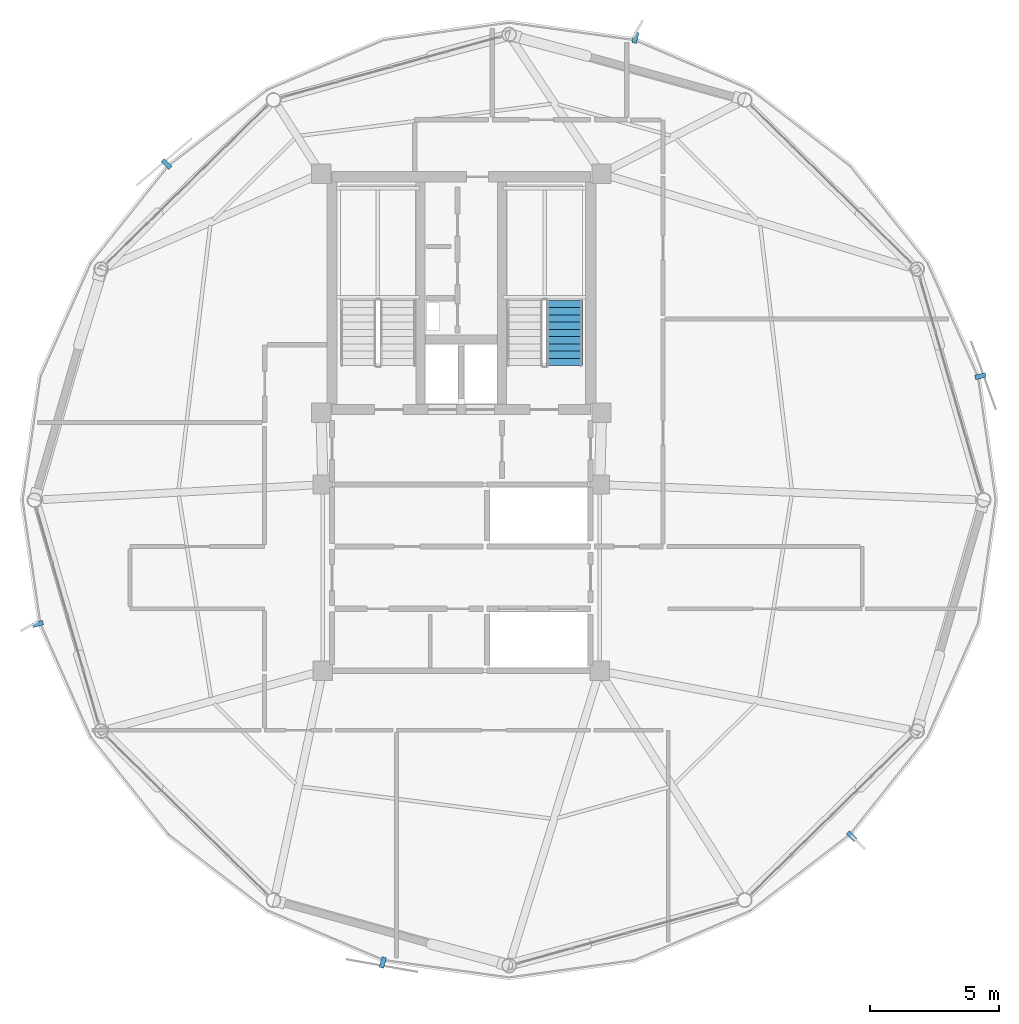
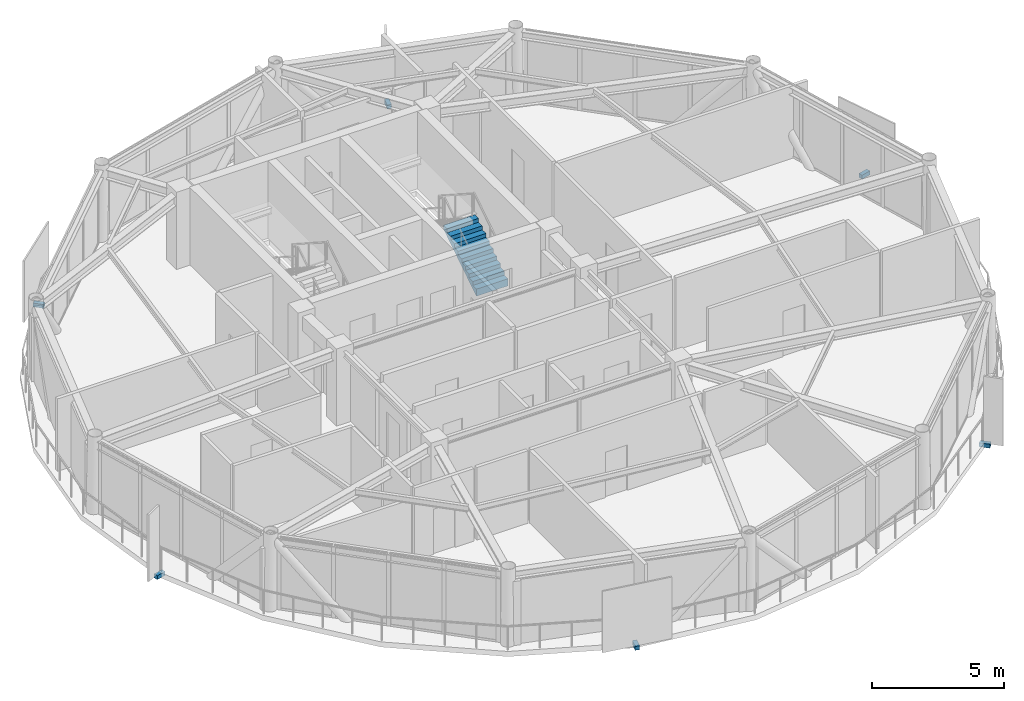
# One storey, part 23 of 26: 6 discrete accessories, 1 stair flight, 1 element without a shape of its own.
"""IFC4 building model written with IfcOpenShell, lengths in metres."""

from ifc_helpers import new_model, si_unit, direction, frame, origin, origin_2d, place, context, subcontext, project, spatial, polyline, rectangle, outline, extrude, source, transform, mapped, material, type_object, type_shapes, element, aggregate, save


model = new_model("IFC4")

# Units and contexts
model_context = context("Model", 3, precision=1e-05, world=origin(), true_north=direction((0.0, 1.0)))
body_context = subcontext(model_context, "Body", "Model", "MODEL_VIEW")
ifc_project = project(units=[si_unit("LENGTHUNIT", "METRE"), si_unit("AREAUNIT", "SQUARE_METRE"), si_unit("VOLUMEUNIT", "CUBIC_METRE"), si_unit("PLANEANGLEUNIT", "RADIAN"), si_unit("MASSUNIT", "GRAM", prefix="KILO")], contexts=[model_context])

# Site, building, storey
site_placement = place(None, origin())
site = spatial("IfcSite", under=ifc_project, at=site_placement, CompositionType="ELEMENT")
building_placement = place(site_placement, origin())
building = spatial("IfcBuilding", under=site, at=building_placement, Name="Varnakorn Sky Granary", CompositionType="ELEMENT")
storey_placement = place(building_placement, frame((0.0, 0.0, 256.199951171875)))
storey = spatial("IfcBuildingStorey", under=building, at=storey_placement, Name="L65", CompositionType="ELEMENT", Elevation=256.199951171875)

# Stair, stair flight
ifc_material_1 = material(Name="Concrete C40/50", Category="concrete")
stair_type = type_object("IfcStairType", Name="ST-MAIN-ASSEMBLY", PredefinedType="HALF_TURN_STAIR", material=ifc_material_1)
stair_placement = place(storey_placement, origin())
stair = element("IfcStair", 1, at=stair_placement, inside=storey, type_object=stair_type, Name="L65 Protected Exit Stair ST-2", PredefinedType="HALF_TURN_STAIR")
stair_flight_type = type_object("IfcStairFlightType", Name="ST-MAIN-FLIGHT", PredefinedType="STRAIGHT", material=ifc_material_1)
stair_flight_placement = place(storey_placement, frame((6.989990234375, 5.199951171875, 0.0), z_axis=(0.0, 0.0, 1.0), x_axis=(0.0, 1.0, 0.0)))
stair_flight = element("IfcStairFlight", 2, at=stair_flight_placement, type_object=stair_flight_type, Name="ST-2 flight 1", NumberOfRisers=10, NumberOfTreads=9, PredefinedType="STRAIGHT", RiserHeight=0.18, TreadLength=0.28, context=body_context, shape_type="SweptSolid", body=[
    extrude(outline(polyline([(0.0, -0.14990234375), (0.0, 0.0), (0.0, 0.179931640625), (0.280029296875, 0.179931640625), (0.280029296875, 0.360107421875), (0.56005859375, 0.360107421875), (0.56005859375, 0.5400390625), (0.840087890625, 0.5400390625), (0.840087890625, 0.719970703125), (1.1201171875, 0.719970703125), (1.1201171875, 0.89990234375), (1.39990234375, 0.89990234375), (1.39990234375, 1.080078125), (1.679931640625, 1.080078125), (1.679931640625, 1.260009765625), (1.9599609375, 1.260009765625), (1.9599609375, 1.43994140625), (2.239990234375, 1.43994140625), (2.239990234375, 1.6201171875), (2.52001953125, 1.6201171875), (2.52001953125, 1.800048828125), (2.52001953125, 1.44189453125), (0.050048828125, -0.14990234375), (0.0, -0.14990234375)])), frame((0.0, 0.68994140625, 0.0), z_axis=(0.0, -1.0, 0.0), x_axis=(1.0, 0.0, 0.0)), (0.0, 0.0, 1.0), 1.3798828125),
])
aggregate(stair, [stair_flight])

# Discrete accessories
ifc_material_2 = material(Name="Steel S355JR", Category="steel")
discrete_accessory_type = type_object("IfcDiscreteAccessoryType", Name="AC-BRK-01", PredefinedType="BRACKET", material=ifc_material_2)
shared_shape = source(origin(), body_context, "Body", "SweptSolid", [
    extrude(rectangle(XDim=0.179931640625, YDim=0.419921875, at=origin_2d()), origin(), (0.0, 0.0, 1.0), 0.179931640625),
])
type_shapes(discrete_accessory_type, [shared_shape])
for number, where, z_axis, x_axis, name in (
    (3, (23.072509765625, 4.790283203125, -0.19970703125), (0.0, 0.0, 1.0), (-0.254237730338, 0.967141756142, 0.0), "Facade Solar-Screen Outrigger Bracket L65-01"),
    (4, (9.733154296875, 17.879150390625, -0.19970703125), (0.0, 0.0, 1.0), (-0.964666756049, 0.26347305322, 0.0), "Facade Solar-Screen Outrigger Bracket L65-03"),
    (5, (-8.39501953125, 12.9921875, -0.19970703125), (0.0, 0.0, 1.0), (-0.70026295728, -0.713884998204, 0.0), "Facade Solar-Screen Outrigger Bracket L65-05"),
    (6, (-13.372314453125, -4.790283203125, -0.19970703125), (0.0, 0.0, 1.0), (0.254237730338, -0.967141756142, 0.0), "Facade Solar-Screen Outrigger Bracket L65-07"),
    (7, (-0.033203125, -17.879150390625, -0.19970703125), (0.0, 0.0, 1.0), (0.964666756049, -0.26347305322, 0.0), "Facade Solar-Screen Outrigger Bracket L65-09"),
    (8, (18.094970703125, -12.9921875, -0.19970703125), (0.0, 0.0, 1.0), (0.70026295728, 0.713884998204, 0.0), "Facade Solar-Screen Outrigger Bracket L65-11"),
):
    element("IfcDiscreteAccessory", number, at=place(storey_placement, frame(where, z_axis=z_axis, x_axis=x_axis)), inside=storey, type_object=discrete_accessory_type, Name=name, PredefinedType="BRACKET", context=body_context, shape_type="MappedRepresentation", body=[
        mapped(shared_shape, transform((0.0, 0.0, 0.0), x_axis=(1.0, 0.0, 0.0), y_axis=(0.0, 1.0, 0.0), z_axis=(0.0, 0.0, 1.0), scale=1.0)),
    ])

save(model, "model.ifc")
